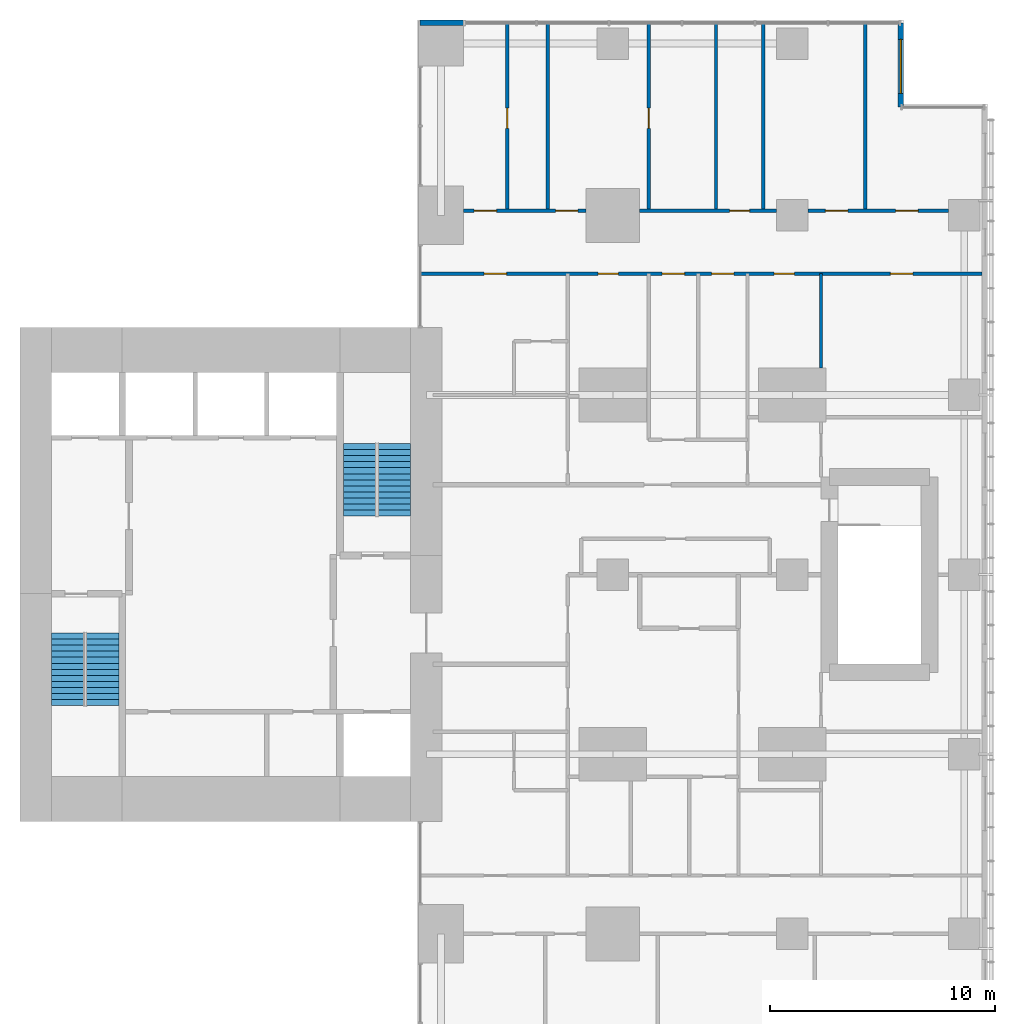
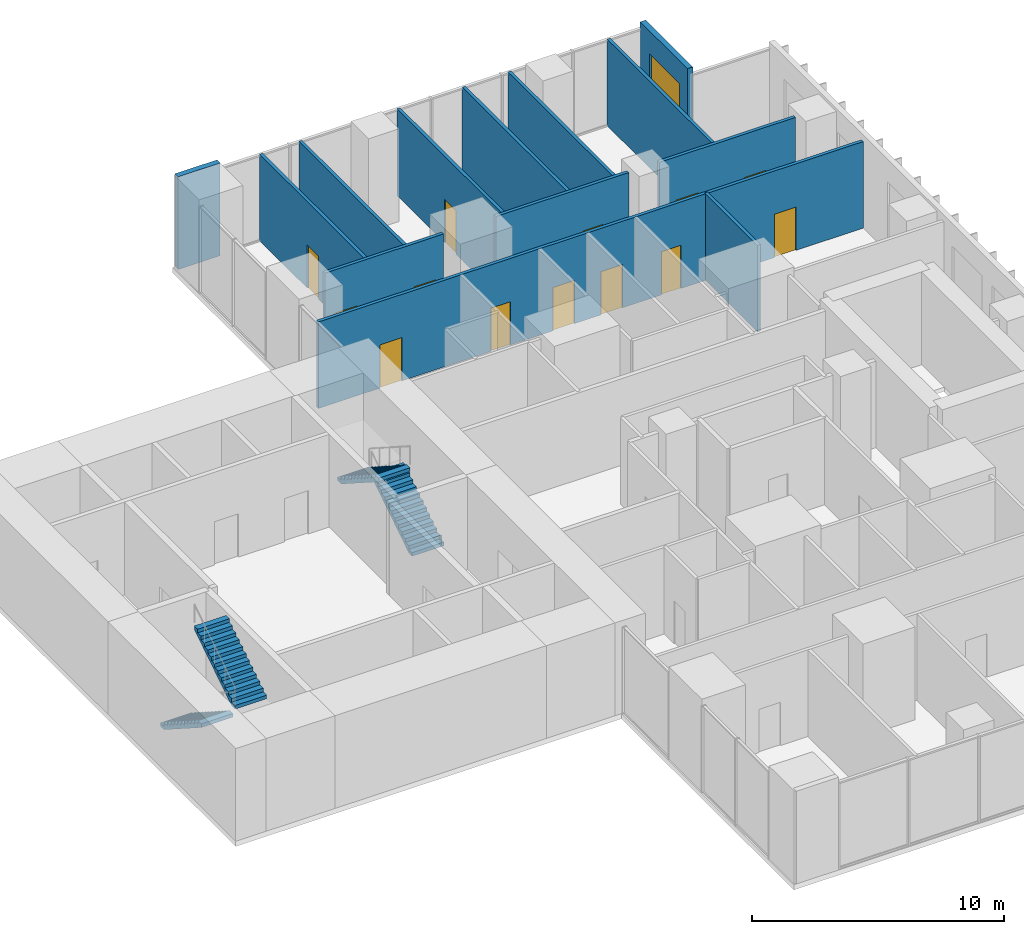
# One storey, part 10 of 11: 13 doors, 13 walls, 4 stair flights, 1 window, 14 openings, 2 elements without a shape of their own.
"""IFC4 building model written with IfcOpenShell, lengths in metres."""

from ifc_helpers import new_model, si_unit, direction, frame, frame_2d, origin, place, context, subcontext, project, spatial, polyline, rectangle, outline, extrude, material, layer, layer_set, type_object, element, fill, aggregate, save


model = new_model("IFC4")

# Units and contexts
model_context = context("Model", 3, precision=1e-05, world=origin(), true_north=direction((0.0, 1.0)))
body_context = subcontext(model_context, "Body", "Model", "MODEL_VIEW")
ifc_project = project(units=[si_unit("LENGTHUNIT", "METRE"), si_unit("AREAUNIT", "SQUARE_METRE"), si_unit("VOLUMEUNIT", "CUBIC_METRE"), si_unit("PLANEANGLEUNIT", "RADIAN"), si_unit("MASSUNIT", "GRAM", prefix="KILO")], contexts=[model_context])

# Site, building, storey
site_placement = place(None, origin())
site = spatial("IfcSite", under=ifc_project, at=site_placement, CompositionType="ELEMENT")
building_placement = place(site_placement, origin())
building = spatial("IfcBuilding", under=site, at=building_placement, Name="Cleftline Residences", CompositionType="ELEMENT")
storey_placement = place(building_placement, frame((0.0, 0.0, 287.10009765625)))
storey = spatial("IfcBuildingStorey", under=building, at=storey_placement, Name="L75", CompositionType="ELEMENT", Elevation=287.10009765625)

# Wall, opening, window
ifc_material_1 = material(Name="Rendered reinforced concrete blockwork", Category="masonry")
ifc_layer_1 = layer(ifc_material_1, 0.25)
ifc_layer_set_1 = layer_set([ifc_layer_1], Name="EXTERNAL WALL 250")
wall_type_1 = type_object("IfcWallType", Name="EXTERNAL WALL 250", PredefinedType="SOLIDWALL", material=ifc_layer_set_1)
wall_1_placement = place(storey_placement, frame((62.824951171875, 44.824951171875, 0.0), z_axis=(0.0, 0.0, 1.0), x_axis=(0.0, 1.0, 0.0)))
wall_1 = element("IfcWall", 1, at=wall_1_placement, inside=storey, type_object=wall_type_1, Name="External wall", PredefinedType="SOLIDWALL", context=body_context, shape_type="SweptSolid", body=[
    extrude(rectangle(XDim=3.75, YDim=0.25, at=frame_2d((1.875, 0.0))), origin(), (0.0, 0.0, 1.0), 4.5),
])
opening_1_placement = place(wall_1_placement, frame((0.612548828125, 0.0, 0.60009765625)))
opening_1 = element("IfcOpeningElement", 2, at=opening_1_placement, cuts=wall_1, Name="Opening W15", PredefinedType="OPENING", context=body_context, shape_type="SweptSolid", body=[
    extrude(rectangle(XDim=2.39990234375, YDim=2.800048828125, at=frame_2d((1.199951171875, 1.39990234375))), frame((0.0, 0.135009765625, 0.0), z_axis=(0.0, -1.0, 0.0), x_axis=(1.0, 0.0, 0.0)), (0.0, 0.0, 1.0), 0.27001953125),
])
ifc_material_2 = material(Name="Aluminium frame, clear double glazing", Category="aluminium")
window_type = type_object("IfcWindowType", Name="WINDOW 2400X2800", PartitioningType="DOUBLE_PANEL_VERTICAL", PredefinedType="WINDOW", material=ifc_material_2)
window_placement = place(opening_1_placement, origin())
window = element("IfcWindow", 3, at=window_placement, inside=storey, type_object=window_type, Name="Window", OverallHeight=2.800048828125, OverallWidth=2.39990234375, PartitioningType="SINGLE_PANEL", PredefinedType="WINDOW", context=body_context, shape_type="SweptSolid", body=[
    extrude(rectangle(XDim=2.39990234375, YDim=2.800048828125, at=frame_2d((1.199951171875, 1.39990234375))), frame((0.0, 0.030029296875, 0.0), z_axis=(0.0, -1.0, 0.0), x_axis=(1.0, 0.0, 0.0)), (0.0, 0.0, 1.0), 0.06005859375),
])
fill(opening_1, window)

# Wall
wall_2_placement = place(storey_placement, frame((43.35009765625, 48.574951171875, 0.0), z_axis=(0.0, 0.0, 1.0), x_axis=(-1.0, 0.0, 0.0)))
element("IfcWall", 4, at=wall_2_placement, inside=storey, type_object=wall_type_1, Name="External wall", PredefinedType="SOLIDWALL", context=body_context, shape_type="SweptSolid", body=[
    extrude(rectangle(XDim=1.925048828125, YDim=0.25, at=frame_2d((0.96240234375, 0.0))), origin(), (0.0, 0.0, 1.0), 4.5),
])

# Wall, openings, doors
ifc_material_3 = material(Name="Gypsum board on steel studs", Category="steel")
ifc_layer_2 = layer(ifc_material_3, 0.14990234375)
ifc_layer_set_2 = layer_set([ifc_layer_2], Name="PARTITION 150")
wall_type_2 = type_object("IfcWallType", Name="PARTITION 150", PredefinedType="PARTITIONING", material=ifc_layer_set_2)
wall_3_placement = place(storey_placement, frame((41.43896484375, 37.39990234375, 0.0), z_axis=(0.0, 0.0, 1.0), x_axis=(1.0, 0.0, 0.0)))
wall_3 = element("IfcWall", 5, at=wall_3_placement, inside=storey, type_object=wall_type_2, Name="Partition", PredefinedType="PARTITIONING", context=body_context, shape_type="SweptSolid", body=[
    extrude(rectangle(XDim=25.010986328125, YDim=0.14990234375, at=frame_2d((12.50537109375, 0.0))), origin(), (0.0, 0.0, 1.0), 4.199951171875),
])
opening_2_placement = place(wall_3_placement, frame((10.760986328125, 0.0, 0.0)))
opening_2 = element("IfcOpeningElement", 6, at=opening_2_placement, cuts=wall_3, Name="Opening D2F30", PredefinedType="OPENING", context=body_context, shape_type="SweptSolid", body=[
    extrude(rectangle(XDim=1.0, YDim=2.10009765625, at=frame_2d((0.5, 1.050048828125))), frame((0.0, 0.0849609375, 0.0), z_axis=(0.0, -1.0, 0.0), x_axis=(1.0, 0.0, 0.0)), (0.0, 0.0, 1.0), 0.169921875),
])
opening_3_placement = place(wall_3_placement, frame((20.923583984375, 0.0, 0.0)))
opening_3 = element("IfcOpeningElement", 7, at=opening_3_placement, cuts=wall_3, Name="Opening D2F30", PredefinedType="OPENING", context=body_context, shape_type="SweptSolid", body=[
    extrude(rectangle(XDim=1.0, YDim=2.10009765625, at=frame_2d((0.5, 1.050048828125))), frame((0.0, 0.0849609375, 0.0), z_axis=(0.0, -1.0, 0.0), x_axis=(1.0, 0.0, 0.0)), (0.0, 0.0, 1.0), 0.169921875),
])
opening_4_placement = place(wall_3_placement, frame((15.74853515625, 0.0, 0.0)))
opening_4 = element("IfcOpeningElement", 8, at=opening_4_placement, cuts=wall_3, Name="Opening D1F30", PredefinedType="OPENING", context=body_context, shape_type="SweptSolid", body=[
    extrude(rectangle(XDim=0.89990234375, YDim=2.10009765625, at=frame_2d((0.449951171875, 1.050048828125))), frame((0.0, 0.0849609375, 0.0), z_axis=(0.0, -1.0, 0.0), x_axis=(1.0, 0.0, 0.0)), (0.0, 0.0, 1.0), 0.169921875),
])
opening_5_placement = place(wall_3_placement, frame((12.9609375, 0.0, 0.0)))
opening_5 = element("IfcOpeningElement", 9, at=opening_5_placement, cuts=wall_3, Name="Opening D2F30", PredefinedType="OPENING", context=body_context, shape_type="SweptSolid", body=[
    extrude(rectangle(XDim=1.0, YDim=2.10009765625, at=frame_2d((0.5, 1.050048828125))), frame((0.0, 0.0849609375, 0.0), z_axis=(0.0, -1.0, 0.0), x_axis=(1.0, 0.0, 0.0)), (0.0, 0.0, 1.0), 0.169921875),
])
opening_6_placement = place(wall_3_placement, frame((7.910888671875, 0.0, 0.0)))
opening_6 = element("IfcOpeningElement", 10, at=opening_6_placement, cuts=wall_3, Name="Opening D1F30", PredefinedType="OPENING", context=body_context, shape_type="SweptSolid", body=[
    extrude(rectangle(XDim=0.89990234375, YDim=2.10009765625, at=frame_2d((0.449951171875, 1.050048828125))), frame((0.0, 0.0849609375, 0.0), z_axis=(0.0, -1.0, 0.0), x_axis=(1.0, 0.0, 0.0)), (0.0, 0.0, 1.0), 0.169921875),
])
opening_7_placement = place(wall_3_placement, frame((2.8359375, 0.0, 0.0)))
opening_7 = element("IfcOpeningElement", 11, at=opening_7_placement, cuts=wall_3, Name="Opening D2F30", PredefinedType="OPENING", context=body_context, shape_type="SweptSolid", body=[
    extrude(rectangle(XDim=1.0, YDim=2.10009765625, at=frame_2d((0.5, 1.050048828125))), frame((0.0, 0.0849609375, 0.0), z_axis=(0.0, -1.0, 0.0), x_axis=(1.0, 0.0, 0.0)), (0.0, 0.0, 1.0), 0.169921875),
])
ifc_material_4 = material(Name="Timber veneer on solid core", Category="wood")
door_type_1 = type_object("IfcDoorType", Name="DOOR 1000X2100 EI 30", OperationType="SINGLE_SWING_LEFT", PredefinedType="DOOR", material=ifc_material_4)
door_1_placement = place(opening_2_placement, origin())
door_1 = element("IfcDoor", 12, at=door_1_placement, inside=storey, type_object=door_type_1, Name="Door to residence corridor (bedrooms)", OperationType="SINGLE_SWING_RIGHT", OverallHeight=2.10009765625, OverallWidth=1.0, PredefinedType="DOOR", context=body_context, shape_type="SweptSolid", body=[
    extrude(rectangle(XDim=1.0, YDim=2.10009765625, at=frame_2d((0.5, 1.050048828125))), frame((0.0, 0.02490234375, 0.0), z_axis=(0.0, -1.0, 0.0), x_axis=(1.0, 0.0, 0.0)), (0.0, 0.0, 1.0), 0.050048828125),
])
fill(opening_2, door_1)
door_2_placement = place(opening_3_placement, origin())
door_2 = element("IfcDoor", 13, at=door_2_placement, inside=storey, type_object=door_type_1, Name="Door to master bedroom", OperationType="SINGLE_SWING_LEFT", OverallHeight=2.10009765625, OverallWidth=1.0, PredefinedType="DOOR", context=body_context, shape_type="SweptSolid", body=[
    extrude(rectangle(XDim=1.0, YDim=2.10009765625, at=frame_2d((0.5, 1.050048828125))), frame((0.0, 0.02490234375, 0.0), z_axis=(0.0, -1.0, 0.0), x_axis=(1.0, 0.0, 0.0)), (0.0, 0.0, 1.0), 0.050048828125),
])
fill(opening_3, door_2)
door_3_placement = place(opening_5_placement, origin())
door_3 = element("IfcDoor", 14, at=door_3_placement, inside=storey, type_object=door_type_1, Name="Door to media room", OperationType="SINGLE_SWING_LEFT", OverallHeight=2.10009765625, OverallWidth=1.0, PredefinedType="DOOR", context=body_context, shape_type="SweptSolid", body=[
    extrude(rectangle(XDim=1.0, YDim=2.10009765625, at=frame_2d((0.5, 1.050048828125))), frame((0.0, 0.02490234375, 0.0), z_axis=(0.0, -1.0, 0.0), x_axis=(1.0, 0.0, 0.0)), (0.0, 0.0, 1.0), 0.050048828125),
])
fill(opening_5, door_3)
door_4_placement = place(opening_7_placement, origin())
door_4 = element("IfcDoor", 15, at=door_4_placement, inside=storey, type_object=door_type_1, Name="Door to staff bedroom", OperationType="SINGLE_SWING_RIGHT", OverallHeight=2.10009765625, OverallWidth=1.0, PredefinedType="DOOR", context=body_context, shape_type="SweptSolid", body=[
    extrude(rectangle(XDim=1.0, YDim=2.10009765625, at=frame_2d((0.5, 1.050048828125))), frame((0.0, 0.02490234375, 0.0), z_axis=(0.0, -1.0, 0.0), x_axis=(1.0, 0.0, 0.0)), (0.0, 0.0, 1.0), 0.050048828125),
])
fill(opening_7, door_4)
ifc_material_5 = material(Name="Timber veneer on solid core", Category="wood")
door_type_2 = type_object("IfcDoorType", Name="DOOR 900X2100 EI 30", OperationType="SINGLE_SWING_LEFT", PredefinedType="DOOR", material=ifc_material_5)
door_5_placement = place(opening_4_placement, origin())
door_5 = element("IfcDoor", 16, at=door_5_placement, inside=storey, type_object=door_type_2, Name="Door to master bathroom", OperationType="SINGLE_SWING_LEFT", OverallHeight=2.10009765625, OverallWidth=0.89990234375, PredefinedType="DOOR", context=body_context, shape_type="SweptSolid", body=[
    extrude(rectangle(XDim=0.89990234375, YDim=2.10009765625, at=frame_2d((0.449951171875, 1.050048828125))), frame((0.0, 0.02490234375, 0.0), z_axis=(0.0, -1.0, 0.0), x_axis=(1.0, 0.0, 0.0)), (0.0, 0.0, 1.0), 0.050048828125),
])
fill(opening_4, door_5)
door_6_placement = place(opening_6_placement, origin())
door_6 = element("IfcDoor", 17, at=door_6_placement, inside=storey, type_object=door_type_2, Name="Door to master dressing room", OperationType="SINGLE_SWING_RIGHT", OverallHeight=2.10009765625, OverallWidth=0.89990234375, PredefinedType="DOOR", context=body_context, shape_type="SweptSolid", body=[
    extrude(rectangle(XDim=0.89990234375, YDim=2.10009765625, at=frame_2d((0.449951171875, 1.050048828125))), frame((0.0, 0.02490234375, 0.0), z_axis=(0.0, -1.0, 0.0), x_axis=(1.0, 0.0, 0.0)), (0.0, 0.0, 1.0), 0.050048828125),
])
fill(opening_6, door_6)

wall_4_placement = place(storey_placement, frame((43.35009765625, 40.199951171875, 0.0), z_axis=(0.0, 0.0, 1.0), x_axis=(1.0, 0.0, 0.0)))
wall_4 = element("IfcWall", 18, at=wall_4_placement, inside=storey, type_object=wall_type_2, Name="Partition", PredefinedType="PARTITIONING", context=body_context, shape_type="SweptSolid", body=[
    extrude(rectangle(XDim=5.449951171875, YDim=0.14990234375, at=frame_2d((2.72509765625, 0.0))), origin(), (0.0, 0.0, 1.0), 4.199951171875),
])
opening_8_placement = place(wall_4_placement, frame((4.10009765625, 0.0, 0.0)))
opening_8 = element("IfcOpeningElement", 19, at=opening_8_placement, cuts=wall_4, Name="Opening D2", PredefinedType="OPENING", context=body_context, shape_type="SweptSolid", body=[
    extrude(rectangle(XDim=1.0, YDim=2.10009765625, at=frame_2d((0.5, 1.050048828125))), frame((0.0, 0.0849609375, 0.0), z_axis=(0.0, -1.0, 0.0), x_axis=(1.0, 0.0, 0.0)), (0.0, 0.0, 1.0), 0.169921875),
])
opening_9_placement = place(wall_4_placement, frame((0.47509765625, 0.0, 0.0)))
opening_9 = element("IfcOpeningElement", 20, at=opening_9_placement, cuts=wall_4, Name="Opening D2", PredefinedType="OPENING", context=body_context, shape_type="SweptSolid", body=[
    extrude(rectangle(XDim=1.0, YDim=2.10009765625, at=frame_2d((0.5, 1.050048828125))), frame((0.0, 0.0849609375, 0.0), z_axis=(0.0, -1.0, 0.0), x_axis=(1.0, 0.0, 0.0)), (0.0, 0.0, 1.0), 0.169921875),
])
ifc_material_6 = material(Name="Timber veneer on solid core", Category="wood")
door_type_3 = type_object("IfcDoorType", Name="DOOR 1000X2100", OperationType="SINGLE_SWING_LEFT", PredefinedType="DOOR", material=ifc_material_6)
door_7_placement = place(opening_8_placement, origin())
door_7 = element("IfcDoor", 21, at=door_7_placement, inside=storey, type_object=door_type_3, Name="Door to bedroom 3", OperationType="SINGLE_SWING_LEFT", OverallHeight=2.10009765625, OverallWidth=1.0, PredefinedType="DOOR", context=body_context, shape_type="SweptSolid", body=[
    extrude(rectangle(XDim=1.0, YDim=2.10009765625, at=frame_2d((0.5, 1.050048828125))), frame((0.0, 0.02490234375, 0.0), z_axis=(0.0, -1.0, 0.0), x_axis=(1.0, 0.0, 0.0)), (0.0, 0.0, 1.0), 0.050048828125),
])
fill(opening_8, door_7)
door_8_placement = place(opening_9_placement, origin())
door_8 = element("IfcDoor", 22, at=door_8_placement, inside=storey, type_object=door_type_3, Name="Door to bedroom 4", OperationType="SINGLE_SWING_RIGHT", OverallHeight=2.10009765625, OverallWidth=1.0, PredefinedType="DOOR", context=body_context, shape_type="SweptSolid", body=[
    extrude(rectangle(XDim=1.0, YDim=2.10009765625, at=frame_2d((0.5, 1.050048828125))), frame((0.0, 0.02490234375, 0.0), z_axis=(0.0, -1.0, 0.0), x_axis=(1.0, 0.0, 0.0)), (0.0, 0.0, 1.0), 0.050048828125),
])
fill(opening_9, door_8)

# Wall, opening, door
wall_5_placement = place(storey_placement, frame((51.199951171875, 40.199951171875, 0.0), z_axis=(0.0, 0.0, 1.0), x_axis=(1.0, 0.0, 0.0)))
wall_5 = element("IfcWall", 23, at=wall_5_placement, inside=storey, type_object=wall_type_2, Name="Partition", PredefinedType="PARTITIONING", context=body_context, shape_type="SweptSolid", body=[
    extrude(rectangle(XDim=6.10009765625, YDim=0.14990234375, at=frame_2d((3.050048828125, 0.0))), origin(), (0.0, 0.0, 1.0), 4.199951171875),
])
opening_10_placement = place(wall_5_placement, frame((4.0, 0.0, 0.0)))
opening_10 = element("IfcOpeningElement", 24, at=opening_10_placement, cuts=wall_5, Name="Opening D1", PredefinedType="OPENING", context=body_context, shape_type="SweptSolid", body=[
    extrude(rectangle(XDim=0.89990234375, YDim=2.10009765625, at=frame_2d((0.449951171875, 1.050048828125))), frame((0.0, 0.0849609375, 0.0), z_axis=(0.0, -1.0, 0.0), x_axis=(1.0, 0.0, 0.0)), (0.0, 0.0, 1.0), 0.169921875),
])
ifc_material_7 = material(Name="Timber veneer on solid core", Category="wood")
door_type_4 = type_object("IfcDoorType", Name="DOOR 900X2100", OperationType="SINGLE_SWING_LEFT", PredefinedType="DOOR", material=ifc_material_7)
door_9_placement = place(opening_10_placement, origin())
door_9 = element("IfcDoor", 25, at=door_9_placement, inside=storey, type_object=door_type_4, Name="Door to bedroom 2 bathroom", OperationType="SINGLE_SWING_LEFT", OverallHeight=2.10009765625, OverallWidth=0.89990234375, PredefinedType="DOOR", context=body_context, shape_type="SweptSolid", body=[
    extrude(rectangle(XDim=0.89990234375, YDim=2.10009765625, at=frame_2d((0.449951171875, 1.050048828125))), frame((0.0, 0.02490234375, 0.0), z_axis=(0.0, -1.0, 0.0), x_axis=(1.0, 0.0, 0.0)), (0.0, 0.0, 1.0), 0.050048828125),
])
fill(opening_10, door_9)

# Wall, openings, doors
wall_6_placement = place(storey_placement, frame((58.699951171875, 40.199951171875, 0.0), z_axis=(0.0, 0.0, 1.0), x_axis=(1.0, 0.0, 0.0)))
wall_6 = element("IfcWall", 26, at=wall_6_placement, inside=storey, type_object=wall_type_2, Name="Partition", PredefinedType="PARTITIONING", context=body_context, shape_type="SweptSolid", body=[
    extrude(rectangle(XDim=6.25, YDim=0.14990234375, at=frame_2d((3.125, 0.0))), origin(), (0.0, 0.0, 1.0), 4.199951171875),
])
opening_11_placement = place(wall_6_placement, frame((3.89990234375, 0.0, 0.0)))
opening_11 = element("IfcOpeningElement", 27, at=opening_11_placement, cuts=wall_6, Name="Opening D2", PredefinedType="OPENING", context=body_context, shape_type="SweptSolid", body=[
    extrude(rectangle(XDim=1.0, YDim=2.10009765625, at=frame_2d((0.5, 1.050048828125))), frame((0.0, 0.0849609375, 0.0), z_axis=(0.0, -1.0, 0.0), x_axis=(1.0, 0.0, 0.0)), (0.0, 0.0, 1.0), 0.169921875),
])
opening_12_placement = place(wall_6_placement, frame((0.77490234375, 0.0, 0.0)))
opening_12 = element("IfcOpeningElement", 28, at=opening_12_placement, cuts=wall_6, Name="Opening D2", PredefinedType="OPENING", context=body_context, shape_type="SweptSolid", body=[
    extrude(rectangle(XDim=1.0, YDim=2.10009765625, at=frame_2d((0.5, 1.050048828125))), frame((0.0, 0.0849609375, 0.0), z_axis=(0.0, -1.0, 0.0), x_axis=(1.0, 0.0, 0.0)), (0.0, 0.0, 1.0), 0.169921875),
])
door_10_placement = place(opening_11_placement, origin())
door_10 = element("IfcDoor", 29, at=door_10_placement, inside=storey, type_object=door_type_3, Name="Door to bedroom 2 sitting room", OperationType="SINGLE_SWING_LEFT", OverallHeight=2.10009765625, OverallWidth=1.0, PredefinedType="DOOR", context=body_context, shape_type="SweptSolid", body=[
    extrude(rectangle(XDim=1.0, YDim=2.10009765625, at=frame_2d((0.5, 1.050048828125))), frame((0.0, 0.02490234375, 0.0), z_axis=(0.0, -1.0, 0.0), x_axis=(1.0, 0.0, 0.0)), (0.0, 0.0, 1.0), 0.050048828125),
])
fill(opening_11, door_10)
door_11_placement = place(opening_12_placement, origin())
door_11 = element("IfcDoor", 30, at=door_11_placement, inside=storey, type_object=door_type_3, Name="Door to bedroom 2", OperationType="SINGLE_SWING_RIGHT", OverallHeight=2.10009765625, OverallWidth=1.0, PredefinedType="DOOR", context=body_context, shape_type="SweptSolid", body=[
    extrude(rectangle(XDim=1.0, YDim=2.10009765625, at=frame_2d((0.5, 1.050048828125))), frame((0.0, 0.02490234375, 0.0), z_axis=(0.0, -1.0, 0.0), x_axis=(1.0, 0.0, 0.0)), (0.0, 0.0, 1.0), 0.050048828125),
])
fill(opening_12, door_11)

# Wall, opening, door
wall_7_placement = place(storey_placement, frame((45.300048828125, 40.199951171875, 0.0), z_axis=(0.0, 0.0, 1.0), x_axis=(0.0, 1.0, 0.0)))
wall_7 = element("IfcWall", 31, at=wall_7_placement, inside=storey, type_object=wall_type_2, Name="Partition", PredefinedType="PARTITIONING", context=body_context, shape_type="SweptSolid", body=[
    extrude(rectangle(XDim=8.361083984375, YDim=0.14990234375, at=frame_2d((4.1806640625, 0.0))), origin(), (0.0, 0.0, 1.0), 4.199951171875),
])
opening_13_placement = place(wall_7_placement, frame((3.675048828125, 0.0, 0.0)))
opening_13 = element("IfcOpeningElement", 32, at=opening_13_placement, cuts=wall_7, Name="Opening D1", PredefinedType="OPENING", context=body_context, shape_type="SweptSolid", body=[
    extrude(rectangle(XDim=0.89990234375, YDim=2.10009765625, at=frame_2d((0.449951171875, 1.050048828125))), frame((0.0, 0.0849609375, 0.0), z_axis=(0.0, -1.0, 0.0), x_axis=(1.0, 0.0, 0.0)), (0.0, 0.0, 1.0), 0.169921875),
])
door_12_placement = place(opening_13_placement, origin())
door_12 = element("IfcDoor", 33, at=door_12_placement, inside=storey, type_object=door_type_4, Name="Door to en-suite bathroom 4", OperationType="SINGLE_SWING_RIGHT", OverallHeight=2.10009765625, OverallWidth=0.89990234375, PredefinedType="DOOR", context=body_context, shape_type="SweptSolid", body=[
    extrude(rectangle(XDim=0.89990234375, YDim=2.10009765625, at=frame_2d((0.449951171875, 1.050048828125))), frame((0.0, 0.02490234375, 0.0), z_axis=(0.0, -1.0, 0.0), x_axis=(1.0, 0.0, 0.0)), (0.0, 0.0, 1.0), 0.050048828125),
])
fill(opening_13, door_12)

# Wall
wall_8_placement = place(storey_placement, frame((47.10009765625, 40.199951171875, 0.0), z_axis=(0.0, 0.0, 1.0), x_axis=(0.0, 1.0, 0.0)))
element("IfcWall", 34, at=wall_8_placement, inside=storey, type_object=wall_type_2, Name="Partition", PredefinedType="PARTITIONING", context=body_context, shape_type="SweptSolid", body=[
    extrude(rectangle(XDim=8.361083984375, YDim=0.14990234375, at=frame_2d((4.1806640625, 0.0))), origin(), (0.0, 0.0, 1.0), 4.199951171875),
])

# Wall, opening, door
wall_9_placement = place(storey_placement, frame((51.60009765625, 40.199951171875, 0.0), z_axis=(0.0, 0.0, 1.0), x_axis=(0.0, 1.0, 0.0)))
wall_9 = element("IfcWall", 35, at=wall_9_placement, inside=storey, type_object=wall_type_2, Name="Partition", PredefinedType="PARTITIONING", context=body_context, shape_type="SweptSolid", body=[
    extrude(rectangle(XDim=8.361083984375, YDim=0.14990234375, at=frame_2d((4.1806640625, 0.0))), origin(), (0.0, 0.0, 1.0), 4.199951171875),
])
opening_14_placement = place(wall_9_placement, frame((3.675048828125, 0.0, 0.0)))
opening_14 = element("IfcOpeningElement", 36, at=opening_14_placement, cuts=wall_9, Name="Opening D1", PredefinedType="OPENING", context=body_context, shape_type="SweptSolid", body=[
    extrude(rectangle(XDim=0.89990234375, YDim=2.10009765625, at=frame_2d((0.449951171875, 1.050048828125))), frame((0.0, 0.0849609375, 0.0), z_axis=(0.0, -1.0, 0.0), x_axis=(1.0, 0.0, 0.0)), (0.0, 0.0, 1.0), 0.169921875),
])
door_13_placement = place(opening_14_placement, origin())
door_13 = element("IfcDoor", 37, at=door_13_placement, inside=storey, type_object=door_type_4, Name="Door to en-suite bathroom 3", OperationType="SINGLE_SWING_RIGHT", OverallHeight=2.10009765625, OverallWidth=0.89990234375, PredefinedType="DOOR", context=body_context, shape_type="SweptSolid", body=[
    extrude(rectangle(XDim=0.89990234375, YDim=2.10009765625, at=frame_2d((0.449951171875, 1.050048828125))), frame((0.0, 0.02490234375, 0.0), z_axis=(0.0, -1.0, 0.0), x_axis=(1.0, 0.0, 0.0)), (0.0, 0.0, 1.0), 0.050048828125),
])
fill(opening_14, door_13)

# Walls
for number, where, z_axis, x_axis, name in (
    (38, (54.60009765625, 40.199951171875, 0.0), (0.0, 0.0, 1.0), (0.0, 1.0, 0.0), "Partition"),
    (39, (56.699951171875, 40.199951171875, 0.0), (0.0, 0.0, 1.0), (0.0, 1.0, 0.0), "Partition"),
):
    element("IfcWall", number, at=place(storey_placement, frame(where, z_axis=z_axis, x_axis=x_axis)), inside=storey, type_object=wall_type_2, Name=name, PredefinedType="PARTITIONING", context=body_context, shape_type="SweptSolid", body=[
        extrude(rectangle(XDim=8.361083984375, YDim=0.14990234375, at=frame_2d((4.1806640625, 0.0))), origin(), (0.0, 0.0, 1.0), 4.199951171875),
    ])
wall_10_placement = place(storey_placement, frame((59.27490234375, 33.199951171875, 0.0), z_axis=(0.0, 0.0, 1.0), x_axis=(0.0, 1.0, 0.0)))
element("IfcWall", 40, at=wall_10_placement, inside=storey, type_object=wall_type_2, Name="Partition", PredefinedType="PARTITIONING", context=body_context, shape_type="SweptSolid", body=[
    extrude(rectangle(XDim=4.199951171875, YDim=0.14990234375, at=frame_2d((2.10009765625, 0.0))), origin(), (0.0, 0.0, 1.0), 4.199951171875),
])
wall_11_placement = place(storey_placement, frame((61.25, 40.199951171875, 0.0), z_axis=(0.0, 0.0, 1.0), x_axis=(0.0, 1.0, 0.0)))
element("IfcWall", 41, at=wall_11_placement, inside=storey, type_object=wall_type_2, Name="Partition", PredefinedType="PARTITIONING", context=body_context, shape_type="SweptSolid", body=[
    extrude(rectangle(XDim=8.361083984375, YDim=0.14990234375, at=frame_2d((4.1806640625, 0.0))), origin(), (0.0, 0.0, 1.0), 4.199951171875),
])

# Stair, stair flights
ifc_material_8 = material(Name="Concrete B45, stone treads", Category="masonry")
stair_type_1 = type_object("IfcStairType", Name="STAIR A 1450 WIDE 173 RISER", PredefinedType="HALF_TURN_STAIR", material=ifc_material_8)
stair_1_placement = place(storey_placement, origin())
stair_1 = element("IfcStair", 42, at=stair_1_placement, inside=storey, type_object=stair_type_1, Name="Stair A L75", PredefinedType="HALF_TURN_STAIR")
ifc_material_9 = material(Name="Concrete B45", Category="concrete")
stair_flight_type_1 = type_object("IfcStairFlightType", Name="STAIR A FLIGHT 1450X173", PredefinedType="STRAIGHT", material=ifc_material_9)
stair_flight_1_placement = place(storey_placement, frame((25.72509765625, 21.39990234375, 0.0), z_axis=(0.0, 0.0, 1.0), x_axis=(0.0, -1.0, 0.0)))
stair_flight_1 = element("IfcStairFlight", 43, at=stair_flight_1_placement, type_object=stair_flight_type_1, Name="ST-A flight 1", NumberOfRisers=13, NumberOfTreads=12, PredefinedType="STRAIGHT", RiserHeight=0.173076923, TreadLength=0.27, context=body_context, shape_type="SweptSolid", body=[
    extrude(outline(polyline([(0.0, 0.0), (0.0, 0.013427734375), (0.0, 0.026611328125), (0.0, 0.0400390625), (0.0, 0.05322265625), (0.0, 0.066650390625), (0.0, 0.079833984375), (0.0, 0.09326171875), (0.0, 0.1064453125), (0.0, 0.119873046875), (0.0, 0.133056640625), (0.0, 0.146484375), (0.0, 0.15966796875), (0.0, 0.173095703125), (0.27001953125, 0.173095703125), (0.27001953125, 0.34619140625), (0.5400390625, 0.34619140625), (0.5400390625, 0.519287109375), (0.81005859375, 0.519287109375), (0.81005859375, 0.6923828125), (1.080078125, 0.6923828125), (1.080078125, 0.865478515625), (1.35009765625, 0.865478515625), (1.35009765625, 1.03857421875), (1.6201171875, 1.03857421875), (1.6201171875, 1.21142578125), (1.889892578125, 1.21142578125), (1.889892578125, 1.384521484375), (2.159912109375, 1.384521484375), (2.159912109375, 1.5576171875), (2.429931640625, 1.5576171875), (2.429931640625, 1.730712890625), (2.699951171875, 1.730712890625), (2.699951171875, 1.90380859375), (2.969970703125, 1.90380859375), (2.969970703125, 2.076904296875), (3.239990234375, 2.076904296875), (3.239990234375, 2.25), (3.239990234375, 2.222900390625), (3.239990234375, 2.196044921875), (3.239990234375, 2.1689453125), (3.239990234375, 2.141845703125), (3.239990234375, 2.114990234375), (3.239990234375, 2.087890625), (3.239990234375, 2.06103515625), (3.239990234375, 2.033935546875), (3.239990234375, 2.0068359375), (3.239990234375, 1.97998046875), (3.239990234375, 1.952880859375), (3.239990234375, 1.92578125), (3.239990234375, 1.89892578125), (0.27783203125, 0.0), (0.0, 0.0)])), frame((0.0, 0.72509765625, 0.0), z_axis=(0.0, -1.0, 0.0), x_axis=(1.0, 0.0, 0.0)), (0.0, 0.0, 1.0), 1.449951171875),
])
stair_flight_2_placement = place(storey_placement, frame((27.27490234375, 18.159912109375, 2.25), z_axis=(0.0, 0.0, 1.0), x_axis=(0.0, 1.0, 0.0)))
stair_flight_2 = element("IfcStairFlight", 44, at=stair_flight_2_placement, type_object=stair_flight_type_1, Name="ST-A flight 2", NumberOfRisers=13, NumberOfTreads=12, PredefinedType="STRAIGHT", RiserHeight=0.173076923, TreadLength=0.27, context=body_context, shape_type="SweptSolid", body=[
    extrude(outline(polyline([(0.0, 0.0), (0.0, 0.013427734375), (0.0, 0.026611328125), (0.0, 0.0400390625), (0.0, 0.05322265625), (0.0, 0.066650390625), (0.0, 0.079833984375), (0.0, 0.09326171875), (0.0, 0.1064453125), (0.0, 0.119873046875), (0.0, 0.133056640625), (0.0, 0.146484375), (0.0, 0.15966796875), (0.0, 0.173095703125), (0.27001953125, 0.173095703125), (0.27001953125, 0.34619140625), (0.5400390625, 0.34619140625), (0.5400390625, 0.519287109375), (0.81005859375, 0.519287109375), (0.81005859375, 0.6923828125), (1.080078125, 0.6923828125), (1.080078125, 0.865478515625), (1.35009765625, 0.865478515625), (1.35009765625, 1.03857421875), (1.6201171875, 1.03857421875), (1.6201171875, 1.21142578125), (1.889892578125, 1.21142578125), (1.889892578125, 1.384521484375), (2.159912109375, 1.384521484375), (2.159912109375, 1.5576171875), (2.429931640625, 1.5576171875), (2.429931640625, 1.730712890625), (2.699951171875, 1.730712890625), (2.699951171875, 1.90380859375), (2.969970703125, 1.90380859375), (2.969970703125, 2.076904296875), (3.239990234375, 2.076904296875), (3.239990234375, 2.25), (3.239990234375, 2.222900390625), (3.239990234375, 2.196044921875), (3.239990234375, 2.1689453125), (3.239990234375, 2.141845703125), (3.239990234375, 2.114990234375), (3.239990234375, 2.087890625), (3.239990234375, 2.06103515625), (3.239990234375, 2.033935546875), (3.239990234375, 2.0068359375), (3.239990234375, 1.97998046875), (3.239990234375, 1.952880859375), (3.239990234375, 1.92578125), (3.239990234375, 1.89892578125), (0.27783203125, 0.0), (0.0, 0.0)])), frame((0.0, 0.72509765625, 0.0), z_axis=(0.0, -1.0, 0.0), x_axis=(1.0, 0.0, 0.0)), (0.0, 0.0, 1.0), 1.449951171875),
])
aggregate(stair_1, [stair_flight_1, stair_flight_2])

ifc_material_10 = material(Name="Concrete B45, stone treads", Category="masonry")
stair_type_2 = type_object("IfcStairType", Name="STAIR B 1450 WIDE 173 RISER", PredefinedType="HALF_TURN_STAIR", material=ifc_material_10)
stair_2_placement = place(storey_placement, origin())
stair_2 = element("IfcStair", 45, at=stair_2_placement, inside=storey, type_object=stair_type_2, Name="Stair B L75", PredefinedType="HALF_TURN_STAIR")
ifc_material_11 = material(Name="Concrete B45", Category="concrete")
stair_flight_type_2 = type_object("IfcStairFlightType", Name="STAIR B FLIGHT 1450X173", PredefinedType="STRAIGHT", material=ifc_material_11)
stair_flight_3_placement = place(storey_placement, frame((40.27490234375, 26.60009765625, 0.0), z_axis=(0.0, 0.0, 1.0), x_axis=(0.0, 1.0, 0.0)))
stair_flight_3 = element("IfcStairFlight", 46, at=stair_flight_3_placement, type_object=stair_flight_type_2, Name="ST-B flight 1", NumberOfRisers=13, NumberOfTreads=12, PredefinedType="STRAIGHT", RiserHeight=0.173076923, TreadLength=0.27, context=body_context, shape_type="SweptSolid", body=[
    extrude(outline(polyline([(0.0, 0.0), (0.0, 0.013427734375), (0.0, 0.026611328125), (0.0, 0.0400390625), (0.0, 0.05322265625), (0.0, 0.066650390625), (0.0, 0.079833984375), (0.0, 0.09326171875), (0.0, 0.1064453125), (0.0, 0.119873046875), (0.0, 0.133056640625), (0.0, 0.146484375), (0.0, 0.15966796875), (0.0, 0.173095703125), (0.27001953125, 0.173095703125), (0.27001953125, 0.34619140625), (0.5400390625, 0.34619140625), (0.5400390625, 0.519287109375), (0.81005859375, 0.519287109375), (0.81005859375, 0.6923828125), (1.080078125, 0.6923828125), (1.080078125, 0.865478515625), (1.35009765625, 0.865478515625), (1.35009765625, 1.03857421875), (1.6201171875, 1.03857421875), (1.6201171875, 1.21142578125), (1.889892578125, 1.21142578125), (1.889892578125, 1.384521484375), (2.159912109375, 1.384521484375), (2.159912109375, 1.5576171875), (2.429931640625, 1.5576171875), (2.429931640625, 1.730712890625), (2.699951171875, 1.730712890625), (2.699951171875, 1.90380859375), (2.969970703125, 1.90380859375), (2.969970703125, 2.076904296875), (3.239990234375, 2.076904296875), (3.239990234375, 2.25), (3.239990234375, 2.222900390625), (3.239990234375, 2.196044921875), (3.239990234375, 2.1689453125), (3.239990234375, 2.141845703125), (3.239990234375, 2.114990234375), (3.239990234375, 2.087890625), (3.239990234375, 2.06103515625), (3.239990234375, 2.033935546875), (3.239990234375, 2.0068359375), (3.239990234375, 1.97998046875), (3.239990234375, 1.952880859375), (3.239990234375, 1.92578125), (3.239990234375, 1.89892578125), (0.27783203125, 0.0), (0.0, 0.0)])), frame((0.0, 0.72509765625, 0.0), z_axis=(0.0, -1.0, 0.0), x_axis=(1.0, 0.0, 0.0)), (0.0, 0.0, 1.0), 1.449951171875),
])
stair_flight_4_placement = place(storey_placement, frame((38.72509765625, 29.840087890625, 2.25), z_axis=(0.0, 0.0, 1.0), x_axis=(0.0, -1.0, 0.0)))
stair_flight_4 = element("IfcStairFlight", 47, at=stair_flight_4_placement, type_object=stair_flight_type_2, Name="ST-B flight 2", NumberOfRisers=13, NumberOfTreads=12, PredefinedType="STRAIGHT", RiserHeight=0.173076923, TreadLength=0.27, context=body_context, shape_type="SweptSolid", body=[
    extrude(outline(polyline([(0.0, 0.0), (0.0, 0.013427734375), (0.0, 0.026611328125), (0.0, 0.0400390625), (0.0, 0.05322265625), (0.0, 0.066650390625), (0.0, 0.079833984375), (0.0, 0.09326171875), (0.0, 0.1064453125), (0.0, 0.119873046875), (0.0, 0.133056640625), (0.0, 0.146484375), (0.0, 0.15966796875), (0.0, 0.173095703125), (0.27001953125, 0.173095703125), (0.27001953125, 0.34619140625), (0.5400390625, 0.34619140625), (0.5400390625, 0.519287109375), (0.81005859375, 0.519287109375), (0.81005859375, 0.6923828125), (1.080078125, 0.6923828125), (1.080078125, 0.865478515625), (1.35009765625, 0.865478515625), (1.35009765625, 1.03857421875), (1.6201171875, 1.03857421875), (1.6201171875, 1.21142578125), (1.889892578125, 1.21142578125), (1.889892578125, 1.384521484375), (2.159912109375, 1.384521484375), (2.159912109375, 1.5576171875), (2.429931640625, 1.5576171875), (2.429931640625, 1.730712890625), (2.699951171875, 1.730712890625), (2.699951171875, 1.90380859375), (2.969970703125, 1.90380859375), (2.969970703125, 2.076904296875), (3.239990234375, 2.076904296875), (3.239990234375, 2.25), (3.239990234375, 2.222900390625), (3.239990234375, 2.196044921875), (3.239990234375, 2.1689453125), (3.239990234375, 2.141845703125), (3.239990234375, 2.114990234375), (3.239990234375, 2.087890625), (3.239990234375, 2.06103515625), (3.239990234375, 2.033935546875), (3.239990234375, 2.0068359375), (3.239990234375, 1.97998046875), (3.239990234375, 1.952880859375), (3.239990234375, 1.92578125), (3.239990234375, 1.89892578125), (0.27783203125, 0.0), (0.0, 0.0)])), frame((0.0, 0.72509765625, 0.0), z_axis=(0.0, -1.0, 0.0), x_axis=(1.0, 0.0, 0.0)), (0.0, 0.0, 1.0), 1.449951171875),
])
aggregate(stair_2, [stair_flight_3, stair_flight_4])

save(model, "model.ifc")
